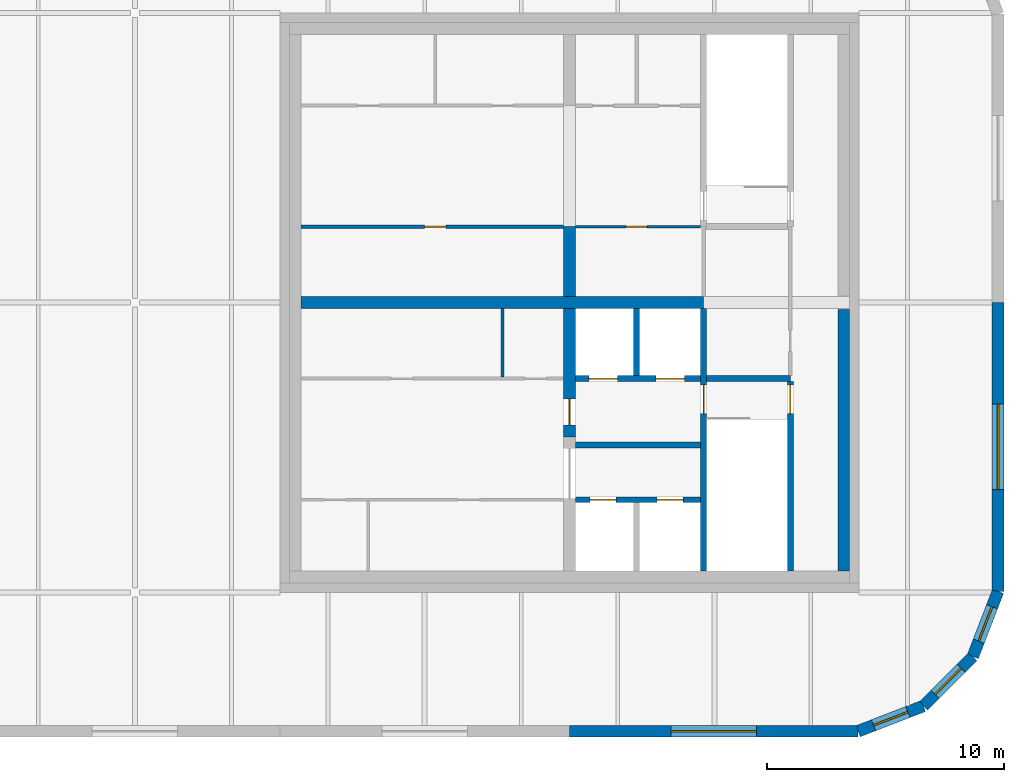
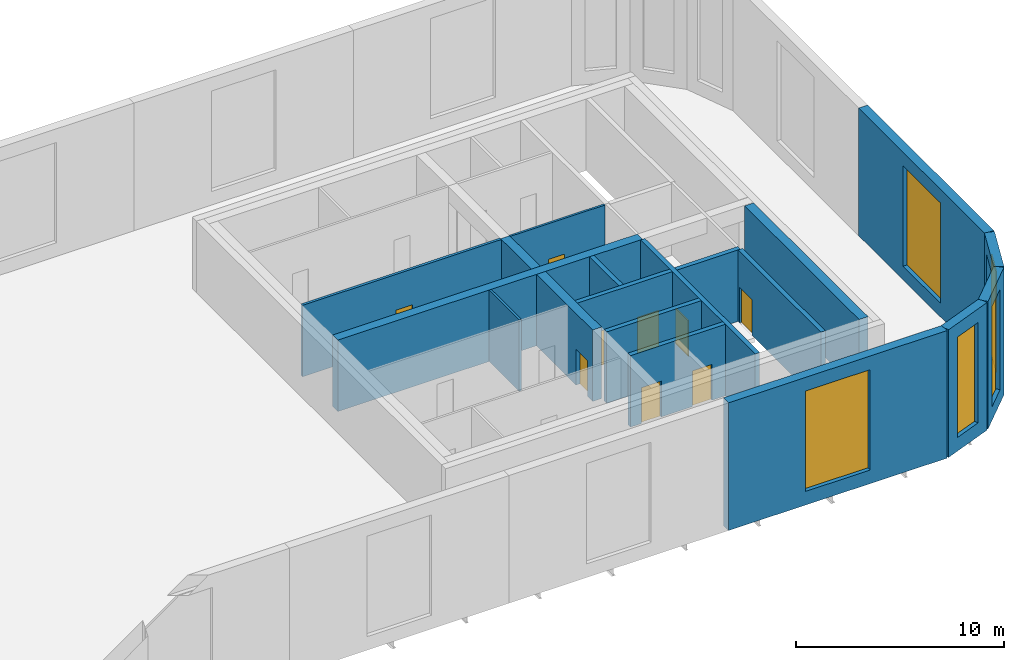
# One storey, part 3 of 6: 19 walls, 9 doors, 5 windows, 14 openings.
"""IFC4 building model written with IfcOpenShell, lengths in metres."""

from ifc_helpers import new_model, si_unit, direction, frame, frame_2d, origin, place, context, subcontext, project, spatial, polyline, rectangle, outline, extrude, faceted_brep, source, transform, mapped, material, layer, layer_set, type_object, element, fill, save


model = new_model("IFC4")

# Units and contexts
model_context = context("Model", 3, precision=1e-05, world=origin(), true_north=direction((0.0, 1.0)))
body_context = subcontext(model_context, "Body", "Model", "MODEL_VIEW")
ifc_project = project(units=[si_unit("LENGTHUNIT", "METRE"), si_unit("AREAUNIT", "SQUARE_METRE"), si_unit("VOLUMEUNIT", "CUBIC_METRE"), si_unit("PLANEANGLEUNIT", "RADIAN"), si_unit("MASSUNIT", "GRAM", prefix="KILO")], contexts=[model_context])

# Site, building, storey
site_placement = place(None, origin())
site = spatial("IfcSite", under=ifc_project, at=site_placement, CompositionType="ELEMENT")
building_placement = place(site_placement, origin())
building = spatial("IfcBuilding", under=site, at=building_placement, Name="Tessera Gate Towers", CompositionType="ELEMENT")
storey_placement = place(building_placement, frame((0.0, 0.0, 265.699951171875)))
storey = spatial("IfcBuildingStorey", under=building, at=storey_placement, Name="L66", CompositionType="ELEMENT", Elevation=265.699951171875)

# Wall, opening, door
ifc_material_1 = material(Name="Concrete C40/50", Category="concrete")
ifc_layer_1 = layer(ifc_material_1, 0.25)
ifc_layer_set_1 = layer_set([ifc_layer_1], Name="CORE ENCLOSURE WALL 250")
wall_type_1 = type_object("IfcWallType", Name="CORE ENCLOSURE WALL 250", PredefinedType="SOLIDWALL", material=ifc_layer_set_1)
wall_1_placement = place(storey_placement, frame((48.35009765625, 36.35009765625, 0.0), z_axis=(0.0, 0.0, 1.0), x_axis=(0.0, -1.0, 0.0)))
wall_1 = element("IfcWall", 1, at=wall_1_placement, inside=storey, type_object=wall_type_1, Name="L66 shaft and stair enclosure wall", PredefinedType="SOLIDWALL", context=body_context, shape_type="SweptSolid", body=[
    extrude(rectangle(XDim=11.050048828125, YDim=0.25, at=frame_2d((5.52490234375, 0.0))), origin(), (0.0, 0.0, 1.0), 4.199951171875),
])
shared_shape_1 = source(origin(), body_context, "Body", "SweptSolid", [
    extrude(rectangle(XDim=1.199951171875, YDim=2.10009765625, at=frame_2d((0.60009765625, 1.050048828125))), frame((0.0, 0.135009765625, 0.0), z_axis=(0.0, -1.0, 0.0), x_axis=(1.0, 0.0, 0.0)), (0.0, 0.0, 1.0), 0.27001953125),
])
opening_1_placement = place(wall_1_placement, frame((3.22509765625, 0.0, 0.0)))
opening_1 = element("IfcOpeningElement", 2, at=opening_1_placement, cuts=wall_1, Name="Opening SD-ST1-1", PredefinedType="OPENING", context=body_context, shape_type="MappedRepresentation", body=[
    mapped(shared_shape_1, transform((0.0, 0.0, 0.0), scale=1.0)),
])
ifc_material_2 = material(Name="Hollow steel fire door", Category="steel")
door_type_1 = type_object("IfcDoorType", Name="CORE DOOR SD 1200x2100", OperationType="NOTDEFINED", PredefinedType="DOOR", material=ifc_material_2)
shared_shape_2 = source(origin(), body_context, "Body", "SweptSolid", [
    extrude(rectangle(XDim=1.199951171875, YDim=2.10009765625, at=frame_2d((0.60009765625, 1.050048828125))), frame((0.0, 0.02490234375, 0.0), z_axis=(0.0, -1.0, 0.0), x_axis=(1.0, 0.0, 0.0)), (0.0, 0.0, 1.0), 0.050048828125),
])
door_1_placement = place(opening_1_placement, origin())
door_1 = element("IfcDoor", 3, at=door_1_placement, inside=storey, type_object=door_type_1, Name="Stair door", OperationType="SINGLE_SWING_LEFT", OverallHeight=2.10009765625, OverallWidth=1.199951171875, PredefinedType="DOOR", context=body_context, shape_type="MappedRepresentation", body=[
    mapped(shared_shape_2, transform((0.0, 0.0, 0.0), scale=1.0)),
])
fill(opening_1, door_1)

# Wall, openings, doors
wall_2_placement = place(storey_placement, frame((48.22509765625, 33.39990234375, 0.0), z_axis=(0.0, 0.0, 1.0), x_axis=(-1.0, 0.0, 0.0)))
wall_2 = element("IfcWall", 4, at=wall_2_placement, inside=storey, type_object=wall_type_1, Name="L66 shaft and stair enclosure wall", PredefinedType="SOLIDWALL", context=body_context, shape_type="SweptSolid", body=[
    extrude(rectangle(XDim=5.275146484375, YDim=0.25, at=frame_2d((2.6376953125, 0.0))), origin(), (0.0, 0.0, 1.0), 4.199951171875),
])
opening_2_placement = place(wall_2_placement, frame((3.512451171875, 0.0, 0.0)))
opening_2 = element("IfcOpeningElement", 5, at=opening_2_placement, cuts=wall_2, Name="Opening LD-FF1", PredefinedType="OPENING", context=body_context, shape_type="MappedRepresentation", body=[
    mapped(shared_shape_1, transform((0.0, 0.0, 0.0), scale=1.0)),
])
opening_3_placement = place(wall_2_placement, frame((0.6875, 0.0, 0.0)))
opening_3 = element("IfcOpeningElement", 6, at=opening_3_placement, cuts=wall_2, Name="Opening LD-FF2", PredefinedType="OPENING", context=body_context, shape_type="MappedRepresentation", body=[
    mapped(shared_shape_1, transform((0.0, 0.0, 0.0), scale=1.0)),
])
ifc_material_3 = material(Name="Stainless steel", Category="steel")
door_type_2 = type_object("IfcDoorType", Name="CORE DOOR LD1200 1200x2100", OperationType="DOUBLE_DOOR_SLIDING", PredefinedType="DOOR", material=ifc_material_3)
door_2_placement = place(opening_2_placement, origin())
door_2 = element("IfcDoor", 7, at=door_2_placement, inside=storey, type_object=door_type_2, Name="Landing door FF1 L66", OperationType="DOUBLE_DOOR_SLIDING", OverallHeight=2.10009765625, OverallWidth=1.199951171875, PredefinedType="DOOR", context=body_context, shape_type="MappedRepresentation", body=[
    mapped(shared_shape_2, transform((0.0, 0.0, 0.0), scale=1.0)),
])
fill(opening_2, door_2)
door_3_placement = place(opening_3_placement, origin())
door_3 = element("IfcDoor", 8, at=door_3_placement, inside=storey, type_object=door_type_2, Name="Landing door FF2 L66", OperationType="DOUBLE_DOOR_SLIDING", OverallHeight=2.10009765625, OverallWidth=1.199951171875, PredefinedType="DOOR", context=body_context, shape_type="MappedRepresentation", body=[
    mapped(shared_shape_2, transform((0.0, 0.0, 0.0), scale=1.0)),
])
fill(opening_3, door_3)

# Wall
wall_3_placement = place(storey_placement, frame((48.47509765625, 33.39990234375, 0.0), z_axis=(0.0, 0.0, 1.0), x_axis=(1.0, 0.0, 0.0)))
element("IfcWall", 9, at=wall_3_placement, inside=storey, type_object=wall_type_1, Name="L66 shaft and stair enclosure wall", PredefinedType="SOLIDWALL", context=body_context, shape_type="SweptSolid", body=[
    extrude(rectangle(XDim=3.52490234375, YDim=0.25, at=frame_2d((1.762451171875, 0.0))), origin(), (0.0, 0.0, 1.0), 4.199951171875),
])

# Wall, opening, door
wall_4_placement = place(storey_placement, frame((52.0, 25.300048828125, 0.0), z_axis=(0.0, 0.0, 1.0), x_axis=(0.0, 1.0, 0.0)))
wall_4 = element("IfcWall", 10, at=wall_4_placement, inside=storey, type_object=wall_type_1, Name="L66 shaft and stair enclosure wall", PredefinedType="SOLIDWALL", context=body_context, shape_type="SweptSolid", body=[
    extrude(rectangle(XDim=7.974853515625, YDim=0.25, at=frame_2d((3.9873046875, 0.0))), origin(), (0.0, 0.0, 1.0), 4.199951171875),
])
opening_4_placement = place(wall_4_placement, frame((6.625, 0.0, 0.0)))
opening_4 = element("IfcOpeningElement", 11, at=opening_4_placement, cuts=wall_4, Name="Opening SD-ST1-2", PredefinedType="OPENING", context=body_context, shape_type="MappedRepresentation", body=[
    mapped(shared_shape_1, transform((0.0, 0.0, 0.0), scale=1.0)),
])
door_4_placement = place(opening_4_placement, origin())
door_4 = element("IfcDoor", 12, at=door_4_placement, inside=storey, type_object=door_type_1, Name="Stair door", OperationType="SINGLE_SWING_RIGHT", OverallHeight=2.10009765625, OverallWidth=1.199951171875, PredefinedType="DOOR", context=body_context, shape_type="MappedRepresentation", body=[
    mapped(shared_shape_2, transform((0.0, 0.0, 0.0), scale=1.0)),
])
fill(opening_4, door_4)

# Wall, openings, doors
wall_5_placement = place(storey_placement, frame((42.949951171875, 28.300048828125, 0.0), z_axis=(0.0, 0.0, 1.0), x_axis=(1.0, 0.0, 0.0)))
wall_5 = element("IfcWall", 13, at=wall_5_placement, inside=storey, type_object=wall_type_1, Name="L66 shaft and stair enclosure wall", PredefinedType="SOLIDWALL", context=body_context, shape_type="SweptSolid", body=[
    extrude(rectangle(XDim=5.275146484375, YDim=0.25, at=frame_2d((2.6376953125, 0.0))), origin(), (0.0, 0.0, 1.0), 4.199951171875),
])
shared_shape_3 = source(origin(), body_context, "Body", "SweptSolid", [
    extrude(rectangle(XDim=1.10009765625, YDim=2.10009765625, at=frame_2d((0.550048828125, 1.050048828125))), frame((0.0, 0.135009765625, 0.0), z_axis=(0.0, -1.0, 0.0), x_axis=(1.0, 0.0, 0.0)), (0.0, 0.0, 1.0), 0.27001953125),
])
opening_5_placement = place(wall_5_placement, frame((0.612548828125, 0.0, 0.0)))
opening_5 = element("IfcOpeningElement", 14, at=opening_5_placement, cuts=wall_5, Name="Opening LD-OB1", PredefinedType="OPENING", context=body_context, shape_type="MappedRepresentation", body=[
    mapped(shared_shape_3, transform((0.0, 0.0, 0.0), scale=1.0)),
])
opening_6_placement = place(wall_5_placement, frame((3.4375, 0.0, 0.0)))
opening_6 = element("IfcOpeningElement", 15, at=opening_6_placement, cuts=wall_5, Name="Opening LD-OB2", PredefinedType="OPENING", context=body_context, shape_type="MappedRepresentation", body=[
    mapped(shared_shape_3, transform((0.0, 0.0, 0.0), scale=1.0)),
])
ifc_material_4 = material(Name="Stainless steel", Category="steel")
door_type_3 = type_object("IfcDoorType", Name="CORE DOOR LD 1100x2100", OperationType="DOUBLE_DOOR_SLIDING", PredefinedType="DOOR", material=ifc_material_4)
shared_shape_4 = source(origin(), body_context, "Body", "SweptSolid", [
    extrude(rectangle(XDim=1.10009765625, YDim=2.10009765625, at=frame_2d((0.550048828125, 1.050048828125))), frame((0.0, 0.02490234375, 0.0), z_axis=(0.0, -1.0, 0.0), x_axis=(1.0, 0.0, 0.0)), (0.0, 0.0, 1.0), 0.050048828125),
])
door_5_placement = place(opening_5_placement, origin())
door_5 = element("IfcDoor", 16, at=door_5_placement, inside=storey, type_object=door_type_3, Name="Landing door OB1 L66", OperationType="DOUBLE_DOOR_SLIDING", OverallHeight=2.10009765625, OverallWidth=1.10009765625, PredefinedType="DOOR", context=body_context, shape_type="MappedRepresentation", body=[
    mapped(shared_shape_4, transform((0.0, 0.0, 0.0), scale=1.0)),
])
fill(opening_5, door_5)
door_6_placement = place(opening_6_placement, origin())
door_6 = element("IfcDoor", 17, at=door_6_placement, inside=storey, type_object=door_type_3, Name="Landing door OB2 L66", OperationType="DOUBLE_DOOR_SLIDING", OverallHeight=2.10009765625, OverallWidth=1.10009765625, PredefinedType="DOOR", context=body_context, shape_type="MappedRepresentation", body=[
    mapped(shared_shape_4, transform((0.0, 0.0, 0.0), scale=1.0)),
])
fill(opening_6, door_6)

# Walls
wall_6_placement = place(storey_placement, frame((42.949951171875, 30.60009765625, 0.0), z_axis=(0.0, 0.0, 1.0), x_axis=(1.0, 0.0, 0.0)))
element("IfcWall", 18, at=wall_6_placement, inside=storey, type_object=wall_type_1, Name="L66 shaft and stair enclosure wall", PredefinedType="SOLIDWALL", context=body_context, shape_type="SweptSolid", body=[
    extrude(rectangle(XDim=5.275146484375, YDim=0.25, at=frame_2d((2.6376953125, 0.0))), origin(), (0.0, 0.0, 1.0), 4.199951171875),
])
wall_7_placement = place(storey_placement, frame((45.52490234375, 33.52490234375, 0.0), z_axis=(0.0, 0.0, 1.0), x_axis=(0.0, 1.0, 0.0)))
element("IfcWall", 19, at=wall_7_placement, inside=storey, type_object=wall_type_1, Name="L66 shaft and stair enclosure wall", PredefinedType="SOLIDWALL", context=body_context, shape_type="SweptSolid", body=[
    extrude(rectangle(XDim=2.8251953125, YDim=0.25, at=frame_2d((1.41259765625, 0.0))), origin(), (0.0, 0.0, 1.0), 4.199951171875),
])

# Wall, opening, door
ifc_material_5 = material(Name="Gypsum board on steel studs", Category="steel")
ifc_layer_2 = layer(ifc_material_5, 0.1201171875)
ifc_layer_set_2 = layer_set([ifc_layer_2], Name="CORE PARTITION 120")
wall_type_2 = type_object("IfcWallType", Name="CORE PARTITION 120", PredefinedType="PARTITIONING", material=ifc_layer_set_2)
wall_8_placement = place(storey_placement, frame((48.22509765625, 39.800048828125, 0.0), z_axis=(0.0, 0.0, 1.0), x_axis=(-1.0, 0.0, 0.0)))
wall_8 = element("IfcWall", 20, at=wall_8_placement, inside=storey, type_object=wall_type_2, Name="L66 core partition", PredefinedType="PARTITIONING", context=body_context, shape_type="SweptSolid", body=[
    extrude(rectangle(XDim=5.275146484375, YDim=0.1201171875, at=frame_2d((2.6376953125, 0.0))), origin(), (0.0, 0.0, 1.0), 4.199951171875),
])
shared_shape_5 = source(origin(), body_context, "Body", "SweptSolid", [
    extrude(rectangle(XDim=0.89990234375, YDim=2.10009765625, at=frame_2d((0.449951171875, 1.050048828125))), frame((0.0, 0.070068359375, 0.0), z_axis=(0.0, -1.0, 0.0), x_axis=(1.0, 0.0, 0.0)), (0.0, 0.0, 1.0), 0.14013671875),
])
opening_7_placement = place(wall_8_placement, frame((2.25, 0.0, 0.0)))
opening_7 = element("IfcOpeningElement", 21, at=opening_7_placement, cuts=wall_8, Name="Opening RD-T1-40-11", PredefinedType="OPENING", context=body_context, shape_type="MappedRepresentation", body=[
    mapped(shared_shape_5, transform((0.0, 0.0, 0.0), scale=1.0)),
])
ifc_material_6 = material(Name="Hollow steel fire door", Category="steel")
door_type_4 = type_object("IfcDoorType", Name="CORE DOOR RD 900x2100", OperationType="NOTDEFINED", PredefinedType="DOOR", material=ifc_material_6)
shared_shape_6 = source(origin(), body_context, "Body", "SweptSolid", [
    extrude(rectangle(XDim=0.89990234375, YDim=2.10009765625, at=frame_2d((0.449951171875, 1.050048828125))), frame((0.0, 0.02490234375, 0.0), z_axis=(0.0, -1.0, 0.0), x_axis=(1.0, 0.0, 0.0)), (0.0, 0.0, 1.0), 0.050048828125),
])
door_7_placement = place(opening_7_placement, origin())
door_7 = element("IfcDoor", 22, at=door_7_placement, inside=storey, type_object=door_type_4, Name="Core room door", OperationType="SINGLE_SWING_RIGHT", OverallHeight=2.10009765625, OverallWidth=0.89990234375, PredefinedType="DOOR", context=body_context, shape_type="MappedRepresentation", body=[
    mapped(shared_shape_6, transform((0.0, 0.0, 0.0), scale=1.0)),
])
fill(opening_7, door_7)

# Walls
wall_9_placement = place(storey_placement, frame((39.875, 33.4599609375, 0.0), z_axis=(0.0, 0.0, 1.0), x_axis=(0.0, 1.0, 0.0)))
element("IfcWall", 23, at=wall_9_placement, inside=storey, type_object=wall_type_2, Name="L66 core partition", PredefinedType="PARTITIONING", context=body_context, shape_type="SweptSolid", body=[
    extrude(rectangle(XDim=2.89013671875, YDim=0.1201171875, at=frame_2d((1.445068359375, 0.0))), origin(), (0.0, 0.0, 1.0), 4.199951171875),
])
ifc_material_7 = material(Name="Concrete C40/50", Category="concrete")
ifc_layer_3 = layer(ifc_material_7, 0.5)
ifc_layer_set_3 = layer_set([ifc_layer_3], Name="CORE SPINE WALL 500 C40/50")
wall_type_3 = type_object("IfcWallType", Name="CORE SPINE WALL 500 C40/50", PredefinedType="SHEAR", material=ifc_layer_set_3)
wall_10_placement = place(storey_placement, frame((31.39990234375, 36.60009765625, 0.0), z_axis=(0.0, 0.0, 1.0), x_axis=(1.0, 0.0, 0.0)))
element("IfcWall", 24, at=wall_10_placement, inside=storey, type_object=wall_type_3, Name="Core wall spine L66", PredefinedType="SHEAR", context=body_context, shape_type="SweptSolid", body=[
    extrude(rectangle(XDim=16.9501953125, YDim=0.5, at=frame_2d((8.47509765625, 0.0))), origin(), (0.0, 0.0, 1.0), 4.199951171875),
])

# Wall, opening, door
wall_11_placement = place(storey_placement, frame((42.699951171875, 36.35009765625, 0.0), z_axis=(0.0, 0.0, 1.0), x_axis=(0.0, -1.0, 0.0)))
wall_11 = element("IfcWall", 25, at=wall_11_placement, inside=storey, type_object=wall_type_3, Name="Core wall spine L66", PredefinedType="SHEAR", context=body_context, shape_type="SweptSolid", body=[
    extrude(rectangle(XDim=5.400146484375, YDim=0.5, at=frame_2d((2.7001953125, 0.0))), origin(), (0.0, 0.0, 1.0), 4.199951171875),
])
shared_shape_7 = source(origin(), body_context, "Body", "SweptSolid", [
    extrude(rectangle(XDim=1.10009765625, YDim=2.10009765625, at=frame_2d((0.550048828125, 1.050048828125))), frame((0.0, 0.260009765625, 0.0), z_axis=(0.0, -1.0, 0.0), x_axis=(1.0, 0.0, 0.0)), (0.0, 0.0, 1.0), 0.52001953125),
])
opening_8_placement = place(wall_11_placement, frame((3.800048828125, 0.0, 0.0)))
opening_8 = element("IfcOpeningElement", 26, at=opening_8_placement, cuts=wall_11, Name="Opening FD-T1-40-02", PredefinedType="OPENING", context=body_context, shape_type="MappedRepresentation", body=[
    mapped(shared_shape_7, transform((0.0, 0.0, 0.0), scale=1.0)),
])
ifc_material_8 = material(Name="Hollow steel fire door", Category="steel")
door_type_5 = type_object("IfcDoorType", Name="CORE DOOR FD 1100x2100", OperationType="NOTDEFINED", PredefinedType="DOOR", material=ifc_material_8)
door_8_placement = place(opening_8_placement, origin())
door_8 = element("IfcDoor", 27, at=door_8_placement, inside=storey, type_object=door_type_5, Name="Fire-fighting lobby door", OperationType="SINGLE_SWING_RIGHT", OverallHeight=2.10009765625, OverallWidth=1.10009765625, PredefinedType="DOOR", context=body_context, shape_type="MappedRepresentation", body=[
    mapped(shared_shape_4, transform((0.0, 0.0, 0.0), scale=1.0)),
])
fill(opening_8, door_8)

# Walls
wall_12_placement = place(storey_placement, frame((42.699951171875, 36.85009765625, 0.0), z_axis=(0.0, 0.0, 1.0), x_axis=(0.0, 1.0, 0.0)))
element("IfcWall", 28, at=wall_12_placement, inside=storey, type_object=wall_type_3, Name="Core wall spine L66", PredefinedType="SHEAR", context=body_context, shape_type="SweptSolid", body=[
    extrude(rectangle(XDim=2.949951171875, YDim=0.5, at=frame_2d((1.47509765625, 0.0))), origin(), (0.0, 0.0, 1.0), 4.199951171875),
])
ifc_material_9 = material(Name="Concrete C40/50", Category="concrete")
ifc_layer_4 = layer(ifc_material_9, 0.5)
ifc_layer_set_4 = layer_set([ifc_layer_4], Name="CORE WALL THICKENING 500")
wall_type_4 = type_object("IfcWallType", Name="CORE WALL THICKENING 500", PredefinedType="SOLIDWALL", material=ifc_layer_set_4)
wall_13_placement = place(storey_placement, frame((54.25, 25.300048828125, 0.0), z_axis=(0.0, 0.0, 1.0), x_axis=(0.0, 1.0, 0.0)))
element("IfcWall", 29, at=wall_13_placement, inside=storey, type_object=wall_type_4, Name="Core wall thickening E L66", PredefinedType="SOLIDWALL", context=body_context, shape_type="SweptSolid", body=[
    extrude(rectangle(XDim=11.02001953125, YDim=0.5, at=frame_2d((5.510009765625, 0.0))), origin(), (0.0, 0.0, 1.0), 4.199951171875),
])

# Wall, opening, door
ifc_material_10 = material(Name="Gypsum board on steel studs", Category="steel")
ifc_layer_5 = layer(ifc_material_10, 0.14990234375)
ifc_layer_set_5 = layer_set([ifc_layer_5], Name="SERVICE ROOM WALL 150")
wall_type_5 = type_object("IfcWallType", Name="SERVICE ROOM WALL 150", PredefinedType="PARTITIONING", material=ifc_layer_set_5)
wall_14_placement = place(storey_placement, frame((42.449951171875, 39.800048828125, 0.0), z_axis=(0.0, 0.0, 1.0), x_axis=(-1.0, 0.0, 0.0)))
wall_14 = element("IfcWall", 30, at=wall_14_placement, inside=storey, type_object=wall_type_5, Name="L66 service room wall", PredefinedType="PARTITIONING", context=body_context, shape_type="SweptSolid", body=[
    extrude(rectangle(XDim=11.050048828125, YDim=0.14990234375, at=frame_2d((5.52490234375, 0.0))), origin(), (0.0, 0.0, 1.0), 4.199951171875),
])
shared_shape_8 = source(origin(), body_context, "Body", "SweptSolid", [
    extrude(rectangle(XDim=0.89990234375, YDim=2.10009765625, at=frame_2d((0.449951171875, 1.050048828125))), frame((0.0, 0.0849609375, 0.0), z_axis=(0.0, -1.0, 0.0), x_axis=(1.0, 0.0, 0.0)), (0.0, 0.0, 1.0), 0.169921875),
])
opening_9_placement = place(wall_14_placement, frame((4.949951171875, 0.0, 0.0)))
opening_9 = element("IfcOpeningElement", 31, at=opening_9_placement, cuts=wall_14, Name="Opening RD-T1-40-07", PredefinedType="OPENING", context=body_context, shape_type="MappedRepresentation", body=[
    mapped(shared_shape_8, transform((0.0, 0.0, 0.0), scale=1.0)),
])
door_9_placement = place(opening_9_placement, origin())
door_9 = element("IfcDoor", 32, at=door_9_placement, inside=storey, type_object=door_type_4, Name="Core room door", OperationType="SINGLE_SWING_LEFT", OverallHeight=2.10009765625, OverallWidth=0.89990234375, PredefinedType="DOOR", context=body_context, shape_type="MappedRepresentation", body=[
    mapped(shared_shape_6, transform((0.0, 0.0, 0.0), scale=1.0)),
])
fill(opening_9, door_9)

# Wall, opening, window
ifc_material_11 = material(Name="Precast concrete C60/75 white", Category="concrete")
ifc_layer_6 = layer(ifc_material_11, 0.5)
ifc_layer_set_6 = layer_set([ifc_layer_6], Name="RB1 ring band panel")
wall_type_6 = type_object("IfcWallType", Name="RB1 ring band panel", PredefinedType="SOLIDWALL", material=ifc_layer_set_6)
shared_shape_9 = source(origin(), body_context, "Body", "Brep", [
    faceted_brep([(0.0, -0.25, 0.0), (12.153564453125, -0.25, 0.0), (12.153564453125, -0.25, 7.5), (0.0, -0.25, 7.5), (0.046630859375, 0.25, 7.5), (12.153564453125, 0.25, 7.5), (12.153564453125, 0.25, 0.0), (0.046630859375, 0.25, 0.0), (0.0, 0.0, 0.0), (0.0, 0.0, 7.5)], [[[0, 1, 2, 3]], [[4, 5, 6, 7]], [[7, 6, 1, 0, 8]], [[5, 4, 9, 3, 2]], [[8, 0, 3, 9]], [[7, 8, 9, 4]], [[1, 6, 5, 2]]]),
])
wall_15_placement = place(storey_placement, frame((60.75, 24.446533203125, 0.0), z_axis=(0.0, 0.0, 1.0), x_axis=(0.0, 1.0, 0.0)))
wall_15 = element("IfcWall", 33, at=wall_15_placement, inside=storey, type_object=wall_type_6, Name="Ring band panel T1 RB1-0529", PredefinedType="SOLIDWALL", context=body_context, shape_type="MappedRepresentation", body=[
    mapped(shared_shape_9, transform((0.0, 0.0, 0.0), scale=1.0)),
])
shared_shape_10 = source(origin(), body_context, "Body", "SweptSolid", [
    extrude(outline(polyline([(4.276611328125, 0.800048828125), (7.876708984375, 0.800048828125), (7.876708984375, 6.699951171875), (4.276611328125, 6.699951171875), (4.276611328125, 0.800048828125)])), frame((0.0, 0.260009765625, 0.0), z_axis=(0.0, -1.0, 0.0), x_axis=(1.0, 0.0, 0.0)), (0.0, 0.0, 1.0), 0.52001953125),
])
opening_10_placement = place(wall_15_placement, origin())
opening_10 = element("IfcOpeningElement", 34, at=opening_10_placement, cuts=wall_15, Name="Opening T1-WN-LV1-0104", PredefinedType="OPENING", context=body_context, shape_type="MappedRepresentation", body=[
    mapped(shared_shape_10, transform((0.0, 0.0, 0.0), scale=1.0)),
])
ifc_material_12 = material(Name="Aluminium louvre", Category="aluminium")
ifc_layer_7 = layer(ifc_material_12, 0.06005859375)
ifc_layer_set_7 = layer_set([ifc_layer_7], Name="LV1 louvre")
window_type = type_object("IfcWindowType", Name="LV1 louvre", PartitioningType="USERDEFINED", PredefinedType="WINDOW", material=ifc_layer_set_7)
shared_shape_11 = source(origin(), body_context, "Body", "SweptSolid", [
    extrude(outline(polyline([(4.276611328125, 0.800048828125), (7.876708984375, 0.800048828125), (7.876708984375, 6.699951171875), (4.276611328125, 6.699951171875), (4.276611328125, 0.800048828125)])), frame((0.0, 0.030029296875, 0.0), z_axis=(0.0, -1.0, 0.0), x_axis=(1.0, 0.0, 0.0)), (0.0, 0.0, 1.0), 0.06005859375),
])
window_1_placement = place(opening_10_placement, origin())
window_1 = element("IfcWindow", 35, at=window_1_placement, inside=storey, type_object=window_type, Name="Louvre T1 WN-LV1-0104", OverallHeight=5.89990234375, OverallWidth=3.60009765625, PartitioningType="USERDEFINED", PredefinedType="WINDOW", context=body_context, shape_type="MappedRepresentation", body=[
    mapped(shared_shape_11, transform((0.0, 0.0, 0.0), scale=1.0)),
])
fill(opening_10, window_1)

shared_shape_12 = source(origin(), body_context, "Body", "Brep", [
    faceted_brep([(0.0, -0.25, 0.0), (12.153564453125, -0.25, 0.0), (12.153564453125, -0.25, 7.5), (0.0, -0.25, 7.5), (0.0, 0.25, 7.5), (12.10693359375, 0.25, 7.5), (12.10693359375, 0.25, 0.0), (0.0, 0.25, 0.0), (12.153564453125, -0.00048828125, 0.0), (12.153564453125, -0.00048828125, 7.5)], [[[0, 1, 2, 3]], [[4, 5, 6, 7]], [[7, 6, 8, 1, 0]], [[9, 2, 1, 8]], [[5, 4, 3, 2, 9]], [[4, 7, 0, 3]], [[8, 6, 5, 9]]]),
])
wall_16_placement = place(storey_placement, frame((42.699951171875, 18.550048828125, 0.0), z_axis=(0.0, 0.0, 1.0), x_axis=(1.0, 0.0, 0.0)))
wall_16 = element("IfcWall", 36, at=wall_16_placement, inside=storey, type_object=wall_type_6, Name="Ring band panel T1 RB1-0525", PredefinedType="SOLIDWALL", context=body_context, shape_type="MappedRepresentation", body=[
    mapped(shared_shape_12, transform((0.0, 0.0, 0.0), scale=1.0)),
])
opening_11_placement = place(wall_16_placement, origin())
opening_11 = element("IfcOpeningElement", 37, at=opening_11_placement, cuts=wall_16, Name="Opening T1-WN-LV1-0100", PredefinedType="OPENING", context=body_context, shape_type="MappedRepresentation", body=[
    mapped(shared_shape_10, transform((0.0, 0.0, 0.0), scale=1.0)),
])
window_2_placement = place(opening_11_placement, origin())
window_2 = element("IfcWindow", 38, at=window_2_placement, inside=storey, type_object=window_type, Name="Louvre T1 WN-LV1-0100", OverallHeight=5.89990234375, OverallWidth=3.60009765625, PartitioningType="USERDEFINED", PredefinedType="WINDOW", context=body_context, shape_type="MappedRepresentation", body=[
    mapped(shared_shape_11, transform((0.0, 0.0, 0.0), scale=1.0)),
])
fill(opening_11, window_2)

shared_shape_13 = source(origin(), body_context, "Body", "Brep", [
    faceted_brep([(0.0, -0.25, 0.0), (2.950439453125, -0.25, 0.0), (2.950439453125, -0.25, 7.5), (0.0, -0.25, 7.5), (0.046630859375, 0.25, 7.5), (2.897705078125, 0.25, 7.5), (2.897705078125, 0.25, 0.0), (0.046630859375, 0.25, 0.0), (2.950439453125, 0.00048828125, 0.0), (0.0, 0.0, 0.0), (2.950439453125, 0.00048828125, 7.5), (0.0, 0.0, 7.5)], [[[0, 1, 2, 3]], [[4, 5, 6, 7]], [[7, 6, 8, 1, 0, 9]], [[10, 2, 1, 8]], [[5, 4, 11, 3, 2, 10]], [[9, 0, 3, 11]], [[7, 9, 11, 4]], [[8, 6, 5, 10]]]),
])
wall_17_placement = place(storey_placement, frame((54.853515625, 18.550048828125, 0.0), z_axis=(0.0, 0.0, 1.0), x_axis=(0.932999673775, 0.359877213415, 0.0)))
wall_17 = element("IfcWall", 39, at=wall_17_placement, inside=storey, type_object=wall_type_6, Name="Ring band panel T1 RB1-0526", PredefinedType="SOLIDWALL", context=body_context, shape_type="MappedRepresentation", body=[
    mapped(shared_shape_13, transform((0.0, 0.0, 0.0), scale=1.0)),
])
shared_shape_14 = source(origin(), body_context, "Body", "SweptSolid", [
    extrude(outline(polyline([(0.699951171875, 0.800048828125), (2.25048828125, 0.800048828125), (2.25048828125, 6.699951171875), (0.699951171875, 6.699951171875), (0.699951171875, 0.800048828125)])), frame((0.0, 0.260009765625, 0.0), z_axis=(0.0, -1.0, 0.0), x_axis=(1.0, 0.0, 0.0)), (0.0, 0.0, 1.0), 0.52001953125),
])
opening_12_placement = place(wall_17_placement, origin())
opening_12 = element("IfcOpeningElement", 40, at=opening_12_placement, cuts=wall_17, Name="Opening T1-WN-LV1-0101", PredefinedType="OPENING", context=body_context, shape_type="MappedRepresentation", body=[
    mapped(shared_shape_14, transform((0.0, 0.0, 0.0), scale=1.0)),
])
shared_shape_15 = source(origin(), body_context, "Body", "SweptSolid", [
    extrude(outline(polyline([(0.699951171875, 0.800048828125), (2.25048828125, 0.800048828125), (2.25048828125, 6.699951171875), (0.699951171875, 6.699951171875), (0.699951171875, 0.800048828125)])), frame((0.0, 0.030029296875, 0.0), z_axis=(0.0, -1.0, 0.0), x_axis=(1.0, 0.0, 0.0)), (0.0, 0.0, 1.0), 0.06005859375),
])
window_3_placement = place(opening_12_placement, origin())
window_3 = element("IfcWindow", 41, at=window_3_placement, inside=storey, type_object=window_type, Name="Louvre T1 WN-LV1-0101", OverallHeight=5.89990234375, OverallWidth=1.550537109375, PartitioningType="USERDEFINED", PredefinedType="WINDOW", context=body_context, shape_type="MappedRepresentation", body=[
    mapped(shared_shape_15, transform((0.0, 0.0, 0.0), scale=1.0)),
])
fill(opening_12, window_3)

shared_shape_16 = source(origin(), body_context, "Body", "Brep", [
    faceted_brep([(0.0, -0.25, 0.0), (2.944091796875, -0.25, 0.0), (2.944091796875, -0.25, 7.5), (0.0, -0.25, 7.5), (0.052978515625, 0.25, 7.5), (2.89111328125, 0.25, 7.5), (2.89111328125, 0.25, 0.0), (0.052978515625, 0.25, 0.0), (2.944091796875, 0.000244140625, 0.0), (0.0, 0.0, 0.0), (2.944091796875, 0.000244140625, 7.5), (0.0, 0.0, 7.5)], [[[0, 1, 2, 3]], [[4, 5, 6, 7]], [[7, 6, 8, 1, 0, 9]], [[10, 2, 1, 8]], [[5, 4, 11, 3, 2, 10]], [[9, 0, 3, 11]], [[7, 9, 11, 4]], [[8, 6, 5, 10]]]),
])
wall_18_placement = place(storey_placement, frame((57.606201171875, 19.61181640625, 0.0), z_axis=(0.0, 0.0, 1.0), x_axis=(0.707106781187, 0.707106781187, 0.0)))
wall_18 = element("IfcWall", 42, at=wall_18_placement, inside=storey, type_object=wall_type_6, Name="Ring band panel T1 RB1-0527", PredefinedType="SOLIDWALL", context=body_context, shape_type="MappedRepresentation", body=[
    mapped(shared_shape_16, transform((0.0, 0.0, 0.0), scale=1.0)),
])
shared_shape_17 = source(origin(), body_context, "Body", "SweptSolid", [
    extrude(outline(polyline([(0.699951171875, 0.800048828125), (2.244140625, 0.800048828125), (2.244140625, 6.699951171875), (0.699951171875, 6.699951171875), (0.699951171875, 0.800048828125)])), frame((0.0, 0.260009765625, 0.0), z_axis=(0.0, -1.0, 0.0), x_axis=(1.0, 0.0, 0.0)), (0.0, 0.0, 1.0), 0.52001953125),
])
opening_13_placement = place(wall_18_placement, origin())
opening_13 = element("IfcOpeningElement", 43, at=opening_13_placement, cuts=wall_18, Name="Opening T1-WN-LV1-0102", PredefinedType="OPENING", context=body_context, shape_type="MappedRepresentation", body=[
    mapped(shared_shape_17, transform((0.0, 0.0, 0.0), scale=1.0)),
])
shared_shape_18 = source(origin(), body_context, "Body", "SweptSolid", [
    extrude(outline(polyline([(0.699951171875, 0.800048828125), (2.244140625, 0.800048828125), (2.244140625, 6.699951171875), (0.699951171875, 6.699951171875), (0.699951171875, 0.800048828125)])), frame((0.0, 0.030029296875, 0.0), z_axis=(0.0, -1.0, 0.0), x_axis=(1.0, 0.0, 0.0)), (0.0, 0.0, 1.0), 0.06005859375),
])
window_4_placement = place(opening_13_placement, origin())
window_4 = element("IfcWindow", 44, at=window_4_placement, inside=storey, type_object=window_type, Name="Louvre T1 WN-LV1-0102", OverallHeight=5.89990234375, OverallWidth=1.544189453125, PartitioningType="USERDEFINED", PredefinedType="WINDOW", context=body_context, shape_type="MappedRepresentation", body=[
    mapped(shared_shape_18, transform((0.0, 0.0, 0.0), scale=1.0)),
])
fill(opening_13, window_4)

shared_shape_19 = source(origin(), body_context, "Body", "Brep", [
    faceted_brep([(0.0, -0.25, 0.0), (2.950439453125, -0.25, 0.0), (2.950439453125, -0.25, 7.5), (0.0, -0.25, 7.5), (0.052978515625, 0.25, 7.5), (2.904052734375, 0.25, 7.5), (2.904052734375, 0.25, 0.0), (0.052978515625, 0.25, 0.0), (2.950439453125, 0.00048828125, 0.0), (0.0, 0.0, 0.0), (2.950439453125, 0.00048828125, 7.5), (0.0, 0.0, 7.5)], [[[0, 1, 2, 3]], [[4, 5, 6, 7]], [[7, 6, 8, 1, 0, 9]], [[10, 2, 1, 8]], [[5, 4, 11, 3, 2, 10]], [[9, 0, 3, 11]], [[7, 9, 11, 4]], [[8, 6, 5, 10]]]),
])
wall_19_placement = place(storey_placement, frame((59.68798828125, 21.69384765625, 0.0), z_axis=(0.0, 0.0, 1.0), x_axis=(0.359949242603, 0.932971887438, 0.0)))
wall_19 = element("IfcWall", 45, at=wall_19_placement, inside=storey, type_object=wall_type_6, Name="Ring band panel T1 RB1-0528", PredefinedType="SOLIDWALL", context=body_context, shape_type="MappedRepresentation", body=[
    mapped(shared_shape_19, transform((0.0, 0.0, 0.0), scale=1.0)),
])
opening_14_placement = place(wall_19_placement, origin())
opening_14 = element("IfcOpeningElement", 46, at=opening_14_placement, cuts=wall_19, Name="Opening T1-WN-LV1-0103", PredefinedType="OPENING", context=body_context, shape_type="MappedRepresentation", body=[
    mapped(shared_shape_14, transform((0.0, 0.0, 0.0), scale=1.0)),
])
window_5_placement = place(opening_14_placement, origin())
window_5 = element("IfcWindow", 47, at=window_5_placement, inside=storey, type_object=window_type, Name="Louvre T1 WN-LV1-0103", OverallHeight=5.89990234375, OverallWidth=1.550537109375, PartitioningType="USERDEFINED", PredefinedType="WINDOW", context=body_context, shape_type="MappedRepresentation", body=[
    mapped(shared_shape_15, transform((0.0, 0.0, 0.0), scale=1.0)),
])
fill(opening_14, window_5)

save(model, "model.ifc")
